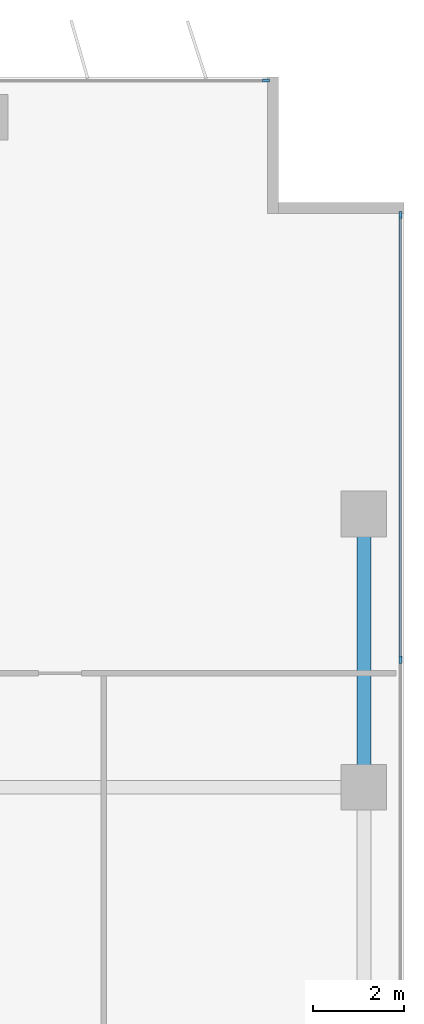
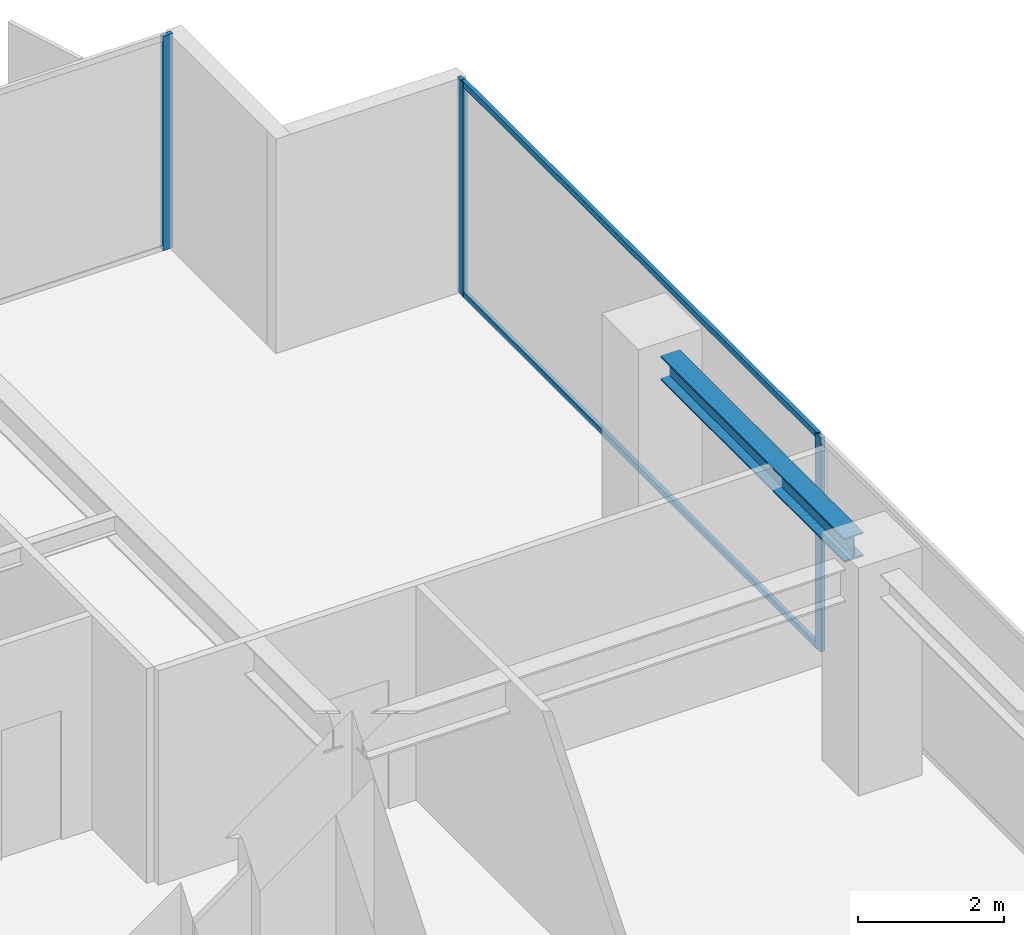
# One storey, part 13 of 22: 5 members, 1 beam, 2 elements without a shape of their own.
"""IFC4 building model written with IfcOpenShell, lengths in metres."""

from ifc_helpers import new_model, si_unit, direction, frame, origin, origin_2d, place, context, subcontext, project, spatial, rectangle, i_section, extrude, material, layer, layer_set, material_profile, profile_set, type_object, element, aggregate, save


model = new_model("IFC4")

# Units and contexts
model_context = context("Model", 3, precision=1e-05, world=origin(), true_north=direction((0.0, 1.0)))
body_context = subcontext(model_context, "Body", "Model", "MODEL_VIEW")
ifc_project = project(units=[si_unit("LENGTHUNIT", "METRE"), si_unit("AREAUNIT", "SQUARE_METRE"), si_unit("VOLUMEUNIT", "CUBIC_METRE"), si_unit("PLANEANGLEUNIT", "RADIAN"), si_unit("MASSUNIT", "GRAM", prefix="KILO")], contexts=[model_context])

# Site, building, storey
site_placement = place(None, origin())
site = spatial("IfcSite", under=ifc_project, at=site_placement, CompositionType="ELEMENT")
building_placement = place(site_placement, origin())
building = spatial("IfcBuilding", under=site, at=building_placement, Name="Putna Gate Headquarters", CompositionType="ELEMENT")
storey_placement = place(building_placement, frame((0.0, 0.0, 151.800048828125)))
storey = spatial("IfcBuildingStorey", under=building, at=storey_placement, Name="L37", CompositionType="ELEMENT", Elevation=151.800048828125)

# Beam
ifc_material_1 = material(Name="Steel S355J2", Category="steel")
ifc_material_profile_1 = material_profile(ifc_material_1, i_section(OverallWidth=0.300048828125, OverallDepth=0.39990234375, WebThickness=0.013427734375, FlangeThickness=0.02392578125, at=origin_2d()), Name="Steel S355J2")
ifc_profile_set_1 = profile_set([ifc_material_profile_1], Name="Steel S355J2")
beam_type = type_object("IfcBeamType", Name="BM-SPAN-Z3-HEB400", PredefinedType="SPANDREL", material=ifc_profile_set_1)
beam_placement = place(storey_placement, frame((73.320068359375, 33.488037109375, 3.3720703125), z_axis=(0.0, 1.0, 0.0), x_axis=(-1.0, 0.0, 0.0)))
element("IfcBeam", 1, at=beam_placement, inside=storey, type_object=beam_type, Name="L37 E End Spandrel 3", PredefinedType="SPANDREL", context=body_context, shape_type="SweptSolid", body=[
    extrude(i_section(OverallWidth=0.300048828125, OverallDepth=0.39990234375, WebThickness=0.013427734375, FlangeThickness=0.02392578125, at=origin_2d()), origin(), (0.0, 0.0, 1.0), 5.02392578125),
])

# Curtain wall, member
ifc_material_2 = material(Name="Anodised bronze aluminium curtain wall", Category="aluminium")
ifc_layer = layer(ifc_material_2, 0.159912109375)
ifc_layer_set = layer_set([ifc_layer], Name="Anodised bronze aluminium curtain wall")
curtain_wall_type = type_object("IfcCurtainWallType", Name="CW-SYS-Z3", PredefinedType="USERDEFINED", material=ifc_layer_set)
curtain_wall_1_placement = place(storey_placement, origin())
curtain_wall_1 = element("IfcCurtainWall", 2, at=curtain_wall_1_placement, inside=storey, type_object=curtain_wall_type, Name="L37 North East Curtain Wall", ObjectType="STICK CURTAIN WALL", PredefinedType="USERDEFINED")
ifc_material_3 = material(Name="Anodised bronze aluminium EN AW-6060", Category="aluminium")
ifc_material_profile_2 = material_profile(ifc_material_3, rectangle(XDim=0.06494140625, YDim=0.159912109375, at=origin_2d()), Name="Anodised bronze aluminium EN AW-6060")
ifc_profile_set_2 = profile_set([ifc_material_profile_2], Name="Anodised bronze aluminium EN AW-6060")
member_type_1 = type_object("IfcMemberType", Name="MULL-CWM-3", PredefinedType="MULLION", material=ifc_profile_set_2)
member_1_placement = place(storey_placement, frame((71.16748046875, 48.52001953125, 0.0), z_axis=(0.0, 0.0, 1.0), x_axis=(0.0, 1.0, 0.0)))
member_1 = element("IfcMember", 3, at=member_1_placement, type_object=member_type_1, Name="CWS-3 mullion 3", PredefinedType="MULLION", context=body_context, shape_type="SweptSolid", body=[
    extrude(rectangle(XDim=0.06494140625, YDim=0.159912109375, at=origin_2d()), origin(), (0.0, 0.0, 1.0), 3.572021484375),
])
aggregate(curtain_wall_1, [member_1])

# Curtain wall, members
curtain_wall_2_placement = place(storey_placement, origin())
curtain_wall_2 = element("IfcCurtainWall", 4, at=curtain_wall_2_placement, inside=storey, type_object=curtain_wall_type, Name="L37 East Curtain Wall", ObjectType="STICK CURTAIN WALL", PredefinedType="USERDEFINED")
member_2_placement = place(storey_placement, frame((74.1201171875, 35.800048828125, 0.0), z_axis=(0.0, 0.0, 1.0), x_axis=(-1.0, 0.0, 0.0)))
member_2 = element("IfcMember", 5, at=member_2_placement, type_object=member_type_1, Name="CWS-3 mullion 4", PredefinedType="MULLION", context=body_context, shape_type="SweptSolid", body=[
    extrude(rectangle(XDim=0.06494140625, YDim=0.159912109375, at=origin_2d()), origin(), (0.0, 0.0, 1.0), 3.572021484375),
])
member_3_placement = place(storey_placement, frame((74.1201171875, 45.5673828125, 0.0), z_axis=(0.0, 0.0, 1.0), x_axis=(-1.0, 0.0, 0.0)))
member_3 = element("IfcMember", 6, at=member_3_placement, type_object=member_type_1, Name="CWS-3 mullion 5", PredefinedType="MULLION", context=body_context, shape_type="SweptSolid", body=[
    extrude(rectangle(XDim=0.06494140625, YDim=0.159912109375, at=origin_2d()), origin(), (0.0, 0.0, 1.0), 3.572021484375),
])
ifc_material_profile_3 = material_profile(ifc_material_3, rectangle(XDim=0.06005859375, YDim=0.10009765625, at=origin_2d()), Name="Anodised bronze aluminium EN AW-6060")
ifc_profile_set_3 = profile_set([ifc_material_profile_3], Name="Anodised bronze aluminium EN AW-6060")
member_type_2 = type_object("IfcMemberType", Name="TRAN-CWT-3", PredefinedType="USERDEFINED", material=ifc_profile_set_3)
member_4_placement = place(storey_placement, frame((74.1201171875, 35.83251953125, 0.030029296875), z_axis=(0.0, 1.0, 0.0), x_axis=(-1.0, 0.0, 0.0)))
member_4 = element("IfcMember", 7, at=member_4_placement, type_object=member_type_2, Name="CWS-3 transom 4.1", ObjectType="TRANSOM", PredefinedType="USERDEFINED", context=body_context, shape_type="SweptSolid", body=[
    extrude(rectangle(XDim=0.06005859375, YDim=0.10009765625, at=origin_2d()), origin(), (0.0, 0.0, 1.0), 9.702392578125),
])
member_5_placement = place(storey_placement, frame((74.1201171875, 35.83251953125, 3.5419921875), z_axis=(0.0, 1.0, 0.0), x_axis=(-1.0, 0.0, 0.0)))
member_5 = element("IfcMember", 8, at=member_5_placement, type_object=member_type_2, Name="CWS-3 transom 4.2", ObjectType="TRANSOM", PredefinedType="USERDEFINED", context=body_context, shape_type="SweptSolid", body=[
    extrude(rectangle(XDim=0.06005859375, YDim=0.10009765625, at=origin_2d()), origin(), (0.0, 0.0, 1.0), 9.702392578125),
])
aggregate(curtain_wall_2, [member_2, member_3, member_4, member_5])

save(model, "model.ifc")
